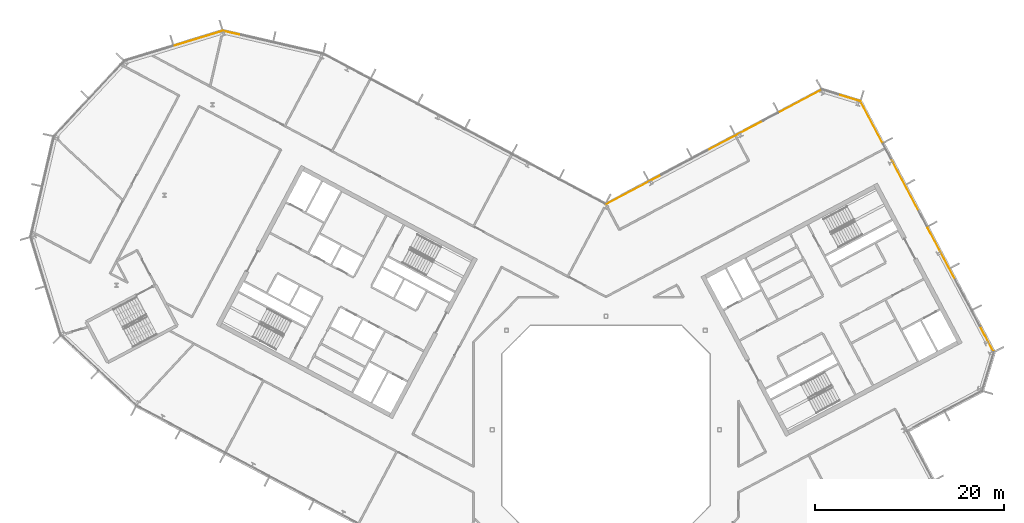
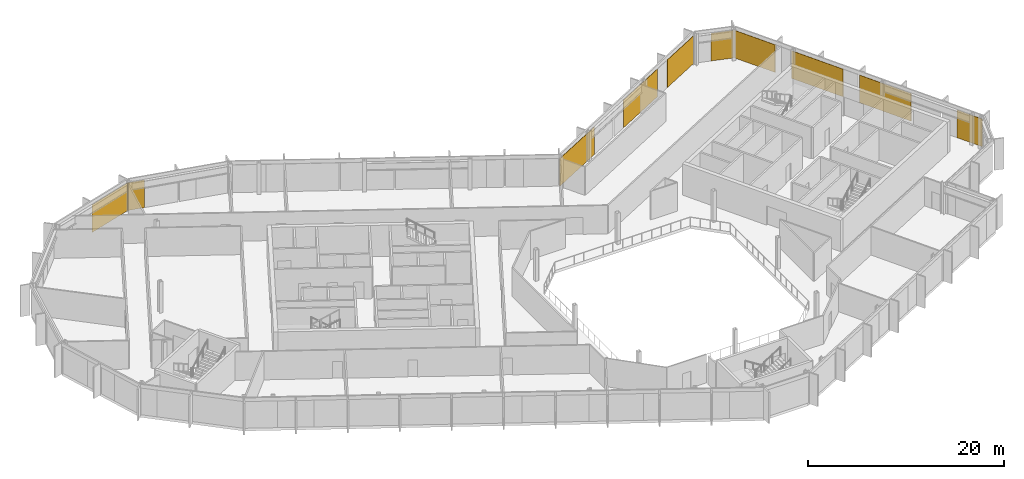
# One storey, part 26 of 26: 10 coverings, 5 elements without a shape of their own.
"""IFC4 building model written with IfcOpenShell, lengths in metres."""

from ifc_helpers import new_model, si_unit, direction, frame, origin, origin_2d, place, context, subcontext, project, spatial, rectangle, extrude, material, layer, layer_set, type_object, element, aggregate, save


model = new_model("IFC4")

# Units and contexts
model_context = context("Model", 3, precision=1e-05, world=origin(), true_north=direction((0.0, 1.0)))
body_context = subcontext(model_context, "Body", "Model", "MODEL_VIEW")
ifc_project = project(units=[si_unit("LENGTHUNIT", "METRE"), si_unit("AREAUNIT", "SQUARE_METRE"), si_unit("VOLUMEUNIT", "CUBIC_METRE"), si_unit("PLANEANGLEUNIT", "RADIAN"), si_unit("MASSUNIT", "GRAM", prefix="KILO")], contexts=[model_context])

# Site, building, storey
site_placement = place(None, origin())
site = spatial("IfcSite", under=ifc_project, at=site_placement, CompositionType="ELEMENT")
building_placement = place(site_placement, origin())
building = spatial("IfcBuilding", under=site, at=building_placement, Name="Cormorant Relay Tower", CompositionType="ELEMENT")
storey_placement = place(building_placement, frame((0.0, 0.0, 261.89990234375)))
storey = spatial("IfcBuildingStorey", under=building, at=storey_placement, Name="L58", CompositionType="ELEMENT", Elevation=261.89990234375)

# Curtain wall, coverings
ifc_material_1 = material(Name="Aluminium 6063-T6 anodised bronze", Category="aluminium")
ifc_layer_1 = layer(ifc_material_1, 0.199951171875)
ifc_layer_set_1 = layer_set([ifc_layer_1], Name="CW1 unitised bronze curtain wall with vertical fins")
curtain_wall_type = type_object("IfcCurtainWallType", Name="CW1 unitised bronze curtain wall with vertical fins", PredefinedType="NOTDEFINED", material=ifc_layer_set_1)
curtain_wall_1_placement = place(storey_placement, origin())
curtain_wall_1 = element("IfcCurtainWall", 1, at=curtain_wall_1_placement, inside=storey, type_object=curtain_wall_type, Name="CW1 curtain wall 6", PredefinedType="NOTDEFINED")
ifc_material_2 = material(Name="Pale bronze anodised aluminium insulated panel", Category="aluminium")
ifc_layer_2 = layer(ifc_material_2, 0.0400390625)
ifc_layer_set_2 = layer_set([ifc_layer_2], Name="CW1 pale bronze insulated panel 40")
covering_type = type_object("IfcCoveringType", Name="CW1 pale bronze insulated panel 40", PredefinedType="CLADDING", material=ifc_layer_set_2)
covering_1_placement = place(storey_placement, frame((40.218017578125, 9.605712890625, 0.0), z_axis=(0.0, 0.0, 1.0), x_axis=(-0.469471562786, 0.882947592859, 0.0)))
covering_1 = element("IfcCovering", 2, at=covering_1_placement, type_object=covering_type, Name="CW1 panel S00", PredefinedType="CLADDING", context=body_context, shape_type="SweptSolid", body=[
    extrude(rectangle(XDim=3.050048828125, YDim=0.0400390625, at=origin_2d()), origin(), (0.0, 0.0, 1.0), 3.449951171875),
])
covering_2_placement = place(storey_placement, frame((35.429443359375, 18.61181640625, 0.0), z_axis=(0.0, 0.0, 1.0), x_axis=(-0.469471562786, 0.882947592859, 0.0)))
covering_2 = element("IfcCovering", 3, at=covering_2_placement, type_object=covering_type, Name="CW1 panel S03", PredefinedType="CLADDING", context=body_context, shape_type="SweptSolid", body=[
    extrude(rectangle(XDim=6.25, YDim=0.0400390625, at=origin_2d()), origin(), (0.0, 0.0, 1.0), 3.449951171875),
])
covering_3_placement = place(storey_placement, frame((31.579833984375, 25.851806640625, 0.0), z_axis=(0.0, 0.0, 1.0), x_axis=(-0.469471562786, 0.882947592859, 0.0)))
covering_3 = element("IfcCovering", 4, at=covering_3_placement, type_object=covering_type, Name="CW1 panel S05", PredefinedType="CLADDING", context=body_context, shape_type="SweptSolid", body=[
    extrude(rectangle(XDim=6.25, YDim=0.0400390625, at=origin_2d()), origin(), (0.0, 0.0, 1.0), 3.449951171875),
])
covering_4_placement = place(storey_placement, frame((28.041015625, 32.507080078125, 0.0), z_axis=(0.0, 0.0, 1.0), x_axis=(-0.469471562786, 0.882947592859, 0.0)))
covering_4 = element("IfcCovering", 5, at=covering_4_placement, type_object=covering_type, Name="CW1 panel S07", PredefinedType="CLADDING", context=body_context, shape_type="SweptSolid", body=[
    extrude(rectangle(XDim=4.925048828125, YDim=0.0400390625, at=origin_2d()), origin(), (0.0, 0.0, 1.0), 3.449951171875),
])
aggregate(curtain_wall_1, [covering_1, covering_2, covering_3, covering_4])

# Curtain wall, covering
curtain_wall_2_placement = place(storey_placement, origin())
curtain_wall_2 = element("IfcCurtainWall", 6, at=curtain_wall_2_placement, inside=storey, type_object=curtain_wall_type, Name="CW1 curtain wall 7", PredefinedType="NOTDEFINED")
covering_5_placement = place(storey_placement, frame((25.66943359375, 35.05908203125, 0.0), z_axis=(0.0, 0.0, 1.0), x_axis=(-0.956304755963, 0.292371704723, 0.0)))
covering_5 = element("IfcCovering", 7, at=covering_5_placement, type_object=covering_type, Name="CW1 panel S00", PredefinedType="CLADDING", context=body_context, shape_type="SweptSolid", body=[
    extrude(rectangle(XDim=2.36767578125, YDim=0.0400390625, at=origin_2d()), origin(), (0.0, 0.0, 1.0), 3.449951171875),
])
aggregate(curtain_wall_2, [covering_5])

# Curtain wall, coverings
curtain_wall_3_placement = place(storey_placement, origin())
curtain_wall_3 = element("IfcCurtainWall", 8, at=curtain_wall_3_placement, inside=storey, type_object=curtain_wall_type, Name="CW1 curtain wall 8", PredefinedType="NOTDEFINED")
covering_6_placement = place(storey_placement, frame((20.519775390625, 34.71728515625, 0.0), z_axis=(0.0, 0.0, 1.0), x_axis=(-0.882947592859, -0.469471562786, 0.0)))
covering_6 = element("IfcCovering", 9, at=covering_6_placement, type_object=covering_type, Name="CW1 panel S00", PredefinedType="CLADDING", context=body_context, shape_type="SweptSolid", body=[
    extrude(rectangle(XDim=5.016845703125, YDim=0.0400390625, at=origin_2d()), origin(), (0.0, 0.0, 1.0), 3.449951171875),
])
covering_7_placement = place(storey_placement, frame((13.6767578125, 31.07861328125, 0.0), z_axis=(0.0, 0.0, 1.0), x_axis=(-0.882947592859, -0.469471562786, 0.0)))
covering_7 = element("IfcCovering", 10, at=covering_7_placement, type_object=covering_type, Name="CW1 panel S02", PredefinedType="CLADDING", context=body_context, shape_type="SweptSolid", body=[
    extrude(rectangle(XDim=6.58349609375, YDim=0.0400390625, at=origin_2d()), origin(), (0.0, 0.0, 1.0), 3.449951171875),
])
covering_8_placement = place(storey_placement, frame((2.93017578125, 25.36474609375, 0.0), z_axis=(0.0, 0.0, 1.0), x_axis=(-0.882947592859, -0.469471562786, 0.0)))
covering_8 = element("IfcCovering", 11, at=covering_8_placement, type_object=covering_type, Name="CW1 panel S05", PredefinedType="CLADDING", context=body_context, shape_type="SweptSolid", body=[
    extrude(rectangle(XDim=6.65869140625, YDim=0.0400390625, at=origin_2d()), origin(), (0.0, 0.0, 1.0), 3.449951171875),
])
aggregate(curtain_wall_3, [covering_6, covering_7, covering_8])

# Curtain wall, covering
curtain_wall_4_placement = place(storey_placement, origin())
curtain_wall_4 = element("IfcCurtainWall", 12, at=curtain_wall_4_placement, inside=storey, type_object=curtain_wall_type, Name="CW1 curtain wall 10", PredefinedType="NOTDEFINED")
covering_9_placement = place(storey_placement, frame((-39.603515625, 41.934814453125, 0.0), z_axis=(0.0, 0.0, 1.0), x_axis=(-0.974370064785, 0.224951054344, 0.0)))
covering_9 = element("IfcCovering", 13, at=covering_9_placement, type_object=covering_type, Name="CW1 panel S03", PredefinedType="CLADDING", context=body_context, shape_type="SweptSolid", body=[
    extrude(rectangle(XDim=1.76025390625, YDim=0.0400390625, at=origin_2d()), origin(), (0.0, 0.0, 1.0), 3.449951171875),
])
aggregate(curtain_wall_4, [covering_9])

curtain_wall_5_placement = place(storey_placement, origin())
curtain_wall_5 = element("IfcCurtainWall", 14, at=curtain_wall_5_placement, inside=storey, type_object=curtain_wall_type, Name="CW1 curtain wall 11", PredefinedType="NOTDEFINED")
covering_10_placement = place(storey_placement, frame((-43.0703125, 41.337890625, 0.0), z_axis=(0.0, 0.0, 1.0), x_axis=(-0.956304755963, -0.292371704723, 0.0)))
covering_10 = element("IfcCovering", 15, at=covering_10_placement, type_object=covering_type, Name="CW1 panel S00", PredefinedType="CLADDING", context=body_context, shape_type="SweptSolid", body=[
    extrude(rectangle(XDim=5.28515625, YDim=0.0400390625, at=origin_2d()), origin(), (0.0, 0.0, 1.0), 3.449951171875),
])
aggregate(curtain_wall_5, [covering_10])

save(model, "model.ifc")
